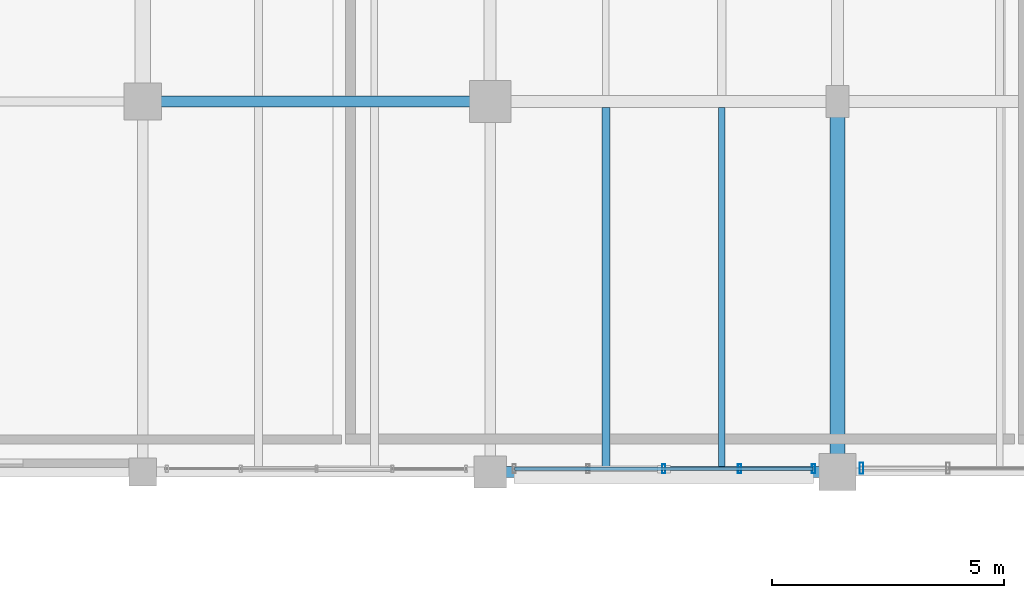
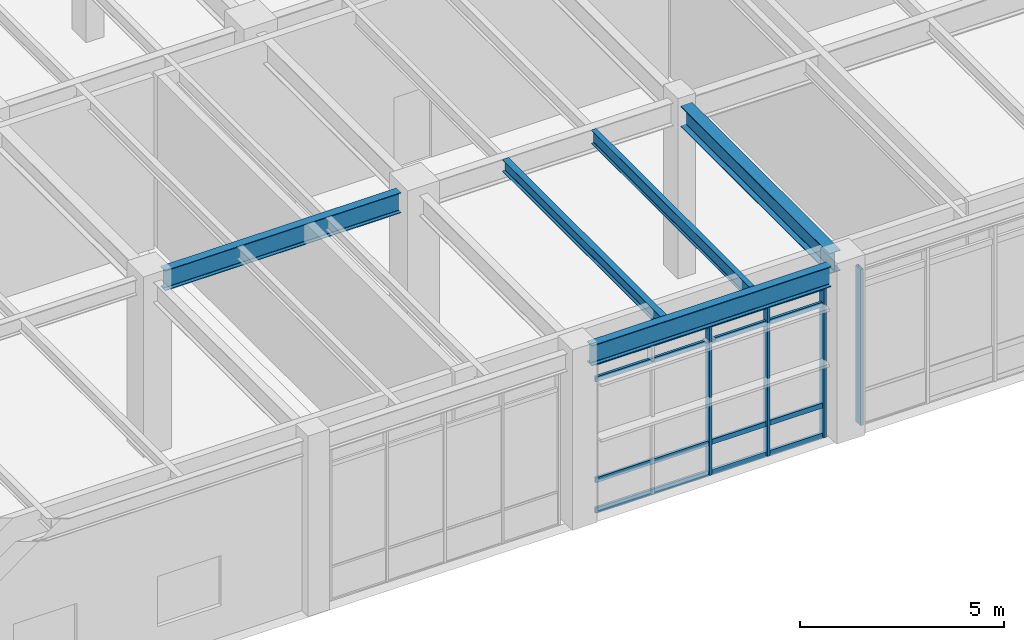
# One storey, part 64 of 203: 8 members, 5 beams, 2 elements without a shape of their own.
"""IFC4 building model written with IfcOpenShell, lengths in metres."""

import ifcopenshell
import ifcopenshell.guid

model = None  # the IFC model being written
_history = None  # IfcOwnerHistory: only IFC2X3 demands one
_inside = {}  # id of a spatial element -> (the spatial element, [elements in it])
_under = {}  # id of a project, library or spatial element -> (it, [spatial elements below it])
_declared = {}  # id of a project -> (the project, [libraries it declares])
_typed = {}  # id of a type object -> (the type object, [elements of that type])
_made_of = {}  # id of a material, layer set ... -> (it, [elements and type objects made of it])


def new_model(schema):
    """Start an empty IFC model of exactly this schema.

    Asked for "IFC4X3", IfcOpenShell would pick the latest addendum, in which some entities
    have other attributes; the version numbers below select the first issue.
    IFC2X3 requires an IfcOwnerHistory on every rooted entity: one is made here for all.
    """
    global model, _history
    if schema == "IFC4X3":
        model = ifcopenshell.file(schema_version=(4, 3, 0, 0))
    else:
        model = ifcopenshell.file(schema=schema)
    _inside.clear()
    _under.clear()
    _declared.clear()
    _typed.clear()
    _made_of.clear()
    _history = None
    if model.schema == "IFC2X3":
        org = make("IfcOrganization", Name="unknown")
        user = make(
            "IfcPersonAndOrganization",
            ThePerson=make("IfcPerson", FamilyName="unknown"),
            TheOrganization=org,
        )
        app = make(
            "IfcApplication",
            ApplicationDeveloper=org,
            Version="unknown",
            ApplicationFullName="unknown",
            ApplicationIdentifier="unknown",
        )
        _history = make(
            "IfcOwnerHistory",
            OwningUser=user,
            OwningApplication=app,
            ChangeAction="ADDED",
            CreationDate=0,
        )
    return model


def make(cls, **values):
    """One entity of the class cls with the attributes given. An attribute that is None is left unset."""
    return model.create_entity(
        cls, **{name: value for name, value in values.items() if value is not None}
    )


def rooted(cls, **values):
    """An entity with a GlobalId (a new one), such as an element, a storey or a relation."""
    return make(cls, GlobalId=ifcopenshell.guid.new(), OwnerHistory=_history, **values)


def si_unit(unit_type, name, prefix=None):
    """IfcSIUnit, for example si_unit("LENGTHUNIT", "METRE", prefix="MILLI")."""
    return make("IfcSIUnit", UnitType=unit_type, Prefix=prefix, Name=name)


def assignment(units):
    """IfcUnitAssignment: the units of a project."""
    return None if units is None else make("IfcUnitAssignment", Units=units)


def point(xyz):
    """IfcCartesianPoint."""
    return None if xyz is None else make("IfcCartesianPoint", Coordinates=xyz)


def direction(xyz):
    """IfcDirection."""
    return None if xyz is None else make("IfcDirection", DirectionRatios=xyz)


def frame(location, z_axis=None, x_axis=None):
    """IfcAxis2Placement3D, a coordinate frame: its origin and axes. An axis left out is left unset."""
    return make(
        "IfcAxis2Placement3D",
        Location=point(location),
        Axis=direction(z_axis),
        RefDirection=direction(x_axis),
    )


def frame_2d(location, x_axis=None):
    """IfcAxis2Placement2D, a coordinate frame in the plane: its origin and x axis."""
    return make(
        "IfcAxis2Placement2D", Location=point(location), RefDirection=direction(x_axis)
    )


def origin():
    """The frame at (0, 0, 0) with its axes left unset."""
    return frame((0.0, 0.0, 0.0))


def origin_2d():
    """The frame at (0, 0) in the plane with its x axis left unset."""
    return frame_2d((0.0, 0.0))


def place(relative_to, where):
    """IfcLocalPlacement: puts the frame where relative to a parent placement (None: the world)."""
    return make(
        "IfcLocalPlacement", PlacementRelTo=relative_to, RelativePlacement=where
    )


def context(
    kind, dimensions, precision=None, world=None, true_north=None, identifier=None
):
    """IfcGeometricRepresentationContext, for example the 3D "Model" context."""
    return make(
        "IfcGeometricRepresentationContext",
        ContextIdentifier=identifier,
        ContextType=kind,
        CoordinateSpaceDimension=dimensions,
        Precision=precision,
        WorldCoordinateSystem=world,
        TrueNorth=true_north,
    )


def subcontext(parent, identifier, kind, view, scale=None):
    """IfcGeometricRepresentationSubContext, for example "Body" below "Model"."""
    return make(
        "IfcGeometricRepresentationSubContext",
        ContextIdentifier=identifier,
        ContextType=kind,
        ParentContext=parent,
        TargetScale=scale,
        TargetView=view,
    )


def project(units=None, contexts=None):
    """IfcProject with its units and contexts."""
    return rooted(
        "IfcProject",
        Name="project",
        RepresentationContexts=contexts,
        UnitsInContext=assignment(units),
    )


def spatial(cls, under=None, at=None, **own):
    """A site, building, storey or space (cls), placed at a placement, below another one or the project."""
    s = rooted(cls, ObjectPlacement=at, **own)
    if under is not None:
        _under.setdefault(under.id(), (under, []))[1].append(s)
    return s


def profile(cls, at=None, kind="AREA", **sizes):
    """A parametric profile (cls). Its sizes go by their IFC names, for example OverallWidth=200.0."""
    return make(cls, ProfileType=kind, Position=at, **sizes)


def hollow_rectangle(**sizes):
    """IfcRectangleHollowProfileDef."""
    return profile("IfcRectangleHollowProfileDef", **sizes)


def i_section(**sizes):
    """IfcIShapeProfileDef."""
    return profile("IfcIShapeProfileDef", **sizes)


def extrude(swept, where, along, depth):
    """IfcExtrudedAreaSolid: the profile swept, set in the frame where, extruded along a direction by depth."""
    return make(
        "IfcExtrudedAreaSolid",
        SweptArea=swept,
        Position=where,
        ExtrudedDirection=direction(along),
        Depth=depth,
    )


def shape(context_of_items, identifier, shape_type, items):
    """IfcShapeRepresentation: the items that make up one representation, for example the "Body"."""
    return make(
        "IfcShapeRepresentation",
        ContextOfItems=context_of_items,
        RepresentationIdentifier=identifier,
        RepresentationType=shape_type,
        Items=items,
    )


def material(Name=None, Category=None):
    """IfcMaterial."""
    return make("IfcMaterial", Name=Name, Category=Category)


def material_profile(
    of_material, cross_section, Name=None, Category=None, Priority=None
):
    """IfcMaterialProfile: a cross section and its material."""
    return make(
        "IfcMaterialProfile",
        Name=Name,
        Material=of_material,
        Profile=cross_section,
        Priority=Priority,
        Category=Category,
    )


def profile_set(profiles, Name=None, composite=None):
    """IfcMaterialProfileSet."""
    return make(
        "IfcMaterialProfileSet",
        Name=Name,
        MaterialProfiles=profiles,
        CompositeProfile=composite,
    )


def made_of(thing, what):
    """Note that an element or type object is made of a material, layer set ...; save() writes the relation."""
    if what is not None:
        _made_of.setdefault(what.id(), (what, []))[1].append(thing)
    return thing


def type_object(cls, material=None, **own):
    """A type object (cls), such as IfcWallType, which elements share."""
    return made_of(rooted(cls, **own), material)


def element(
    cls,
    number,
    at=None,
    inside=None,
    cuts=None,
    type_object=None,
    material=None,
    context=None,
    identifier="Body",
    shape_type=None,
    held_by="IfcProductDefinitionShape",
    body=None,
    shapes=None,
    **own,
):
    """One element of the class cls, such as IfcWall. Its Tag is "e" and its number.

    at: its placement. inside: the storey or other place that contains it. cuts: it is an
    opening in that element (IfcRelVoidsElement). A single representation is given by context,
    identifier, shape_type and body (its items); several are given by shapes. held_by: the class
    of the entity that holds the representations. save() writes the other relations.
    """
    e = rooted(cls, Tag="e%d" % number, ObjectPlacement=at, **own)
    if body is not None:
        shapes = [shape(context, identifier, shape_type, body)]
    if shapes is not None:
        e.Representation = make(held_by, Representations=shapes)
    if inside is not None:
        _inside.setdefault(inside.id(), (inside, []))[1].append(e)
    if cuts is not None:
        rooted(
            "IfcRelVoidsElement", RelatingBuildingElement=cuts, RelatedOpeningElement=e
        )
    if type_object is not None:
        _typed.setdefault(type_object.id(), (type_object, []))[1].append(e)
    return made_of(e, material)


def aggregate(whole, parts):
    """IfcRelAggregates: a whole, such as a stair, and the parts it consists of."""
    return rooted("IfcRelAggregates", RelatingObject=whole, RelatedObjects=parts)


def save(model, path):
    """Write the relations noted so far, then the file.

    IfcRelAggregates (storeys below a building ...), IfcRelContainedInSpatialStructure (elements
    in a storey), IfcRelDefinesByType, IfcRelAssociatesMaterial and IfcRelDeclares: one each for
    every whole, place, type object, material and project.
    """
    for whole, parts in _under.values():
        aggregate(whole, parts)
    for where, things in _inside.values():
        rooted(
            "IfcRelContainedInSpatialStructure",
            RelatedElements=things,
            RelatingStructure=where,
        )
    for kind, things in _typed.values():
        rooted("IfcRelDefinesByType", RelatedObjects=things, RelatingType=kind)
    for what, things in _made_of.values():
        rooted("IfcRelAssociatesMaterial", RelatedObjects=things, RelatingMaterial=what)
    for by, libraries in _declared.values():
        rooted("IfcRelDeclares", RelatingContext=by, RelatedDefinitions=libraries)
    model.write(path)


model = new_model("IFC4")

# Units and contexts
model_context = context("Model", 3, precision=1e-05, world=origin(), true_north=direction((0.0, 1.0)))
body_context = subcontext(model_context, "Body", "Model", "MODEL_VIEW")
ifc_project = project(units=[si_unit("LENGTHUNIT", "METRE"), si_unit("AREAUNIT", "SQUARE_METRE"), si_unit("VOLUMEUNIT", "CUBIC_METRE"), si_unit("PLANEANGLEUNIT", "RADIAN"), si_unit("MASSUNIT", "GRAM", prefix="KILO"), si_unit("THERMODYNAMICTEMPERATUREUNIT", "KELVIN"), si_unit("POWERUNIT", "WATT")], contexts=[model_context])

# Site, building, storey
site_placement = place(None, origin())
site = spatial("IfcSite", under=ifc_project, at=site_placement, CompositionType="ELEMENT")
building_placement = place(site_placement, origin())
building = spatial("IfcBuilding", under=site, at=building_placement, Name="Tepalcoro Natatorium and Aquatics Centre", CompositionType="ELEMENT")
storey_placement = place(building_placement, origin())
storey = spatial("IfcBuildingStorey", under=building, at=storey_placement, Name="L00", CompositionType="ELEMENT", Elevation=0.0)

# Beams
ifc_material_1 = material(Name="Steel ASTM A992 Grade 50 (Fy 345 MPa)", Category="steel")
ifc_material_profile_1 = material_profile(ifc_material_1, i_section(OverallWidth=0.324951171875, OverallDepth=0.616943359375, WebThickness=0.013916015625, FlangeThickness=0.02197265625, FilletRadius=0.013916015625, at=origin_2d()), Name="W24X117")
ifc_profile_set_1 = profile_set([ifc_material_profile_1], Name="Steel ASTM A992 Grade 50 (Fy 345 MPa)")
beam_type_1 = type_object("IfcBeamType", Name="BM_W24x117", PredefinedType="BEAM", material=ifc_profile_set_1)
beam_1_placement = place(storey_placement, frame((36.0, 86.385009765625, 4.83642578125), z_axis=(0.0, 1.0, 0.0), x_axis=(-1.0, 0.0, 0.0)))
element("IfcBeam", 1, at=beam_1_placement, inside=storey, type_object=beam_type_1, Name="V4 L00 Grid Girder Y", PredefinedType="BEAM", context=body_context, shape_type="SweptSolid", body=[
    extrude(i_section(OverallWidth=0.324951171875, OverallDepth=0.616943359375, WebThickness=0.013916015625, FlangeThickness=0.02197265625, FilletRadius=0.013916015625, at=origin_2d()), origin(), (0.0, 0.0, 1.0), 7.280029296875),
])
ifc_material_profile_2 = material_profile(ifc_material_1, i_section(OverallWidth=0.22802734375, OverallDepth=0.60693359375, WebThickness=0.010986328125, FlangeThickness=0.01708984375, FilletRadius=0.013916015625, at=origin_2d()), Name="W24X76")
ifc_profile_set_2 = profile_set([ifc_material_profile_2], Name="Steel ASTM A992 Grade 50 (Fy 345 MPa)")
beam_type_2 = type_object("IfcBeamType", Name="BM_W24x76", PredefinedType="BEAM", material=ifc_profile_set_2)
beam_2_placement = place(storey_placement, frame((21.385009765625, 94.0, 4.841552734375), z_axis=(1.0, 0.0, 0.0), x_axis=(0.0, 1.0, 0.0)))
element("IfcBeam", 2, at=beam_2_placement, inside=storey, type_object=beam_type_2, Name="V4 L00 Grid Girder X", PredefinedType="BEAM", context=body_context, shape_type="SweptSolid", body=[
    extrude(i_section(OverallWidth=0.22802734375, OverallDepth=0.60693359375, WebThickness=0.010986328125, FlangeThickness=0.01708984375, FilletRadius=0.013916015625, at=origin_2d()), origin(), (0.0, 0.0, 1.0), 6.679931640625),
])

# Curtain wall, members
ifc_material_2 = material(Name="Bronze-Anodised Extruded Aluminium Alloy EN AW-6063 T6", Category="aluminium")
curtain_wall_type_1 = type_object("IfcCurtainWallType", Name="CW_V4_VILLAGE", PredefinedType="USERDEFINED", material=ifc_material_2)
curtain_wall_1_placement = place(storey_placement, origin())
curtain_wall_1 = element("IfcCurtainWall", 3, at=curtain_wall_1_placement, inside=storey, type_object=curtain_wall_type_1, Name="V4 L00 S Unitised Curtain Wall Bay 3", ObjectType="UNITISED STOREFRONT", PredefinedType="USERDEFINED")
ifc_material_profile_3 = material_profile(ifc_material_2, hollow_rectangle(XDim=0.070068359375, YDim=0.199951171875, WallThickness=0.0048828125, at=origin_2d()), Name="AL70X200X5")
ifc_profile_set_3 = profile_set([ifc_material_profile_3], Name="Bronze-Anodised Extruded Aluminium Alloy EN AW-6063 T6")
member_type_1 = type_object("IfcMemberType", Name="CW_MUL_70x200", PredefinedType="MULLION", material=ifc_profile_set_3)
member_1_placement = place(storey_placement, frame((32.25, 86.0712890625, 0.02001953125), z_axis=(0.0, 0.0, 1.0), x_axis=(1.0, 0.0, 0.0)))
member_1 = element("IfcMember", 4, at=member_1_placement, type_object=member_type_1, Name="CW_V4_VILLAGE Curtain Wall Mullion", PredefinedType="MULLION", context=body_context, shape_type="SweptSolid", body=[
    extrude(hollow_rectangle(XDim=0.070068359375, YDim=0.199951171875, WallThickness=0.0048828125, at=origin_2d()), origin(), (0.0, 0.0, 1.0), 4.47802734375),
])
member_2_placement = place(storey_placement, frame((33.885009765625, 86.0712890625, 0.02001953125), z_axis=(0.0, 0.0, 1.0), x_axis=(1.0, 0.0, 0.0)))
member_2 = element("IfcMember", 5, at=member_2_placement, type_object=member_type_1, Name="CW_V4_VILLAGE Curtain Wall Mullion", PredefinedType="MULLION", context=body_context, shape_type="SweptSolid", body=[
    extrude(hollow_rectangle(XDim=0.070068359375, YDim=0.199951171875, WallThickness=0.0048828125, at=origin_2d()), origin(), (0.0, 0.0, 1.0), 4.47802734375),
])
member_3_placement = place(storey_placement, frame((35.47998046875, 86.0712890625, 0.02001953125), z_axis=(0.0, 0.0, 1.0), x_axis=(1.0, 0.0, 0.0)))
member_3 = element("IfcMember", 6, at=member_3_placement, type_object=member_type_1, Name="CW_V4_VILLAGE Curtain Wall Mullion", PredefinedType="MULLION", context=body_context, shape_type="SweptSolid", body=[
    extrude(hollow_rectangle(XDim=0.070068359375, YDim=0.199951171875, WallThickness=0.0048828125, at=origin_2d()), origin(), (0.0, 0.0, 1.0), 4.47802734375),
])

# Curtain wall, member
curtain_wall_type_2 = type_object("IfcCurtainWallType", Name="CW_V5_LOWER", PredefinedType="USERDEFINED", material=ifc_material_2)
curtain_wall_2_placement = place(storey_placement, origin())
curtain_wall_2 = element("IfcCurtainWall", 7, at=curtain_wall_2_placement, inside=storey, type_object=curtain_wall_type_2, Name="V4 L00 S Unitised Curtain Wall Bay 4", ObjectType="UNITISED STOREFRONT", PredefinedType="USERDEFINED")
ifc_material_profile_4 = material_profile(ifc_material_2, hollow_rectangle(XDim=0.080078125, YDim=0.239990234375, WallThickness=0.0048828125, at=origin_2d()), Name="AL80X240X5")
ifc_profile_set_4 = profile_set([ifc_material_profile_4], Name="Bronze-Anodised Extruded Aluminium Alloy EN AW-6063 T6")
member_type_2 = type_object("IfcMemberType", Name="CW_MUL_80x240", PredefinedType="MULLION", material=ifc_profile_set_4)
member_4_placement = place(storey_placement, frame((36.52001953125, 86.080078125, 0.02001953125), z_axis=(0.0, 0.0, 1.0), x_axis=(1.0, 0.0, 0.0)))
member_4 = element("IfcMember", 8, at=member_4_placement, type_object=member_type_2, Name="CW_V5_LOWER Curtain Wall Mullion", PredefinedType="MULLION", context=body_context, shape_type="SweptSolid", body=[
    extrude(hollow_rectangle(XDim=0.080078125, YDim=0.239990234375, WallThickness=0.0048828125, at=origin_2d()), origin(), (0.0, 0.0, 1.0), 4.677001953125),
])
aggregate(curtain_wall_2, [member_4])

# Member
ifc_material_profile_5 = material_profile(ifc_material_2, hollow_rectangle(XDim=0.070068359375, YDim=0.14990234375, WallThickness=0.00390625, at=origin_2d()), Name="AL70X150X4")
ifc_profile_set_5 = profile_set([ifc_material_profile_5], Name="Bronze-Anodised Extruded Aluminium Alloy EN AW-6063 T6")
member_type_3 = type_object("IfcMemberType", Name="CW_TRN_70x150", PredefinedType="USERDEFINED", material=ifc_profile_set_5)
member_5_placement = place(storey_placement, frame((29.030029296875, 86.0712890625, 0.050048828125), z_axis=(1.0, 0.0, 0.0), x_axis=(0.0, 1.0, 0.0)))
member_5 = element("IfcMember", 9, at=member_5_placement, type_object=member_type_3, Name="CW_V4_VILLAGE Curtain Wall Transom", ObjectType="TRANSOM", PredefinedType="USERDEFINED", context=body_context, shape_type="SweptSolid", body=[
    extrude(hollow_rectangle(XDim=0.070068359375, YDim=0.14990234375, WallThickness=0.00390625, at=origin_2d()), origin(), (0.0, 0.0, 1.0), 6.43994140625),
])

member_6_placement = place(storey_placement, frame((29.030029296875, 86.0712890625, 0.949951171875), z_axis=(1.0, 0.0, 0.0), x_axis=(0.0, 1.0, 0.0)))
member_6 = element("IfcMember", 10, at=member_6_placement, type_object=member_type_3, Name="CW_V4_VILLAGE Curtain Wall Transom", ObjectType="TRANSOM", PredefinedType="USERDEFINED", context=body_context, shape_type="SweptSolid", body=[
    extrude(hollow_rectangle(XDim=0.070068359375, YDim=0.14990234375, WallThickness=0.00390625, at=origin_2d()), origin(), (0.0, 0.0, 1.0), 6.43994140625),
])

member_7_placement = place(storey_placement, frame((29.030029296875, 86.0712890625, 3.968017578125), z_axis=(1.0, 0.0, 0.0), x_axis=(0.0, 1.0, 0.0)))
member_7 = element("IfcMember", 11, at=member_7_placement, type_object=member_type_3, Name="CW_V4_VILLAGE Curtain Wall Transom", ObjectType="TRANSOM", PredefinedType="USERDEFINED", context=body_context, shape_type="SweptSolid", body=[
    extrude(hollow_rectangle(XDim=0.070068359375, YDim=0.14990234375, WallThickness=0.00390625, at=origin_2d()), origin(), (0.0, 0.0, 1.0), 6.43994140625),
])

member_8_placement = place(storey_placement, frame((29.030029296875, 86.0712890625, 4.468017578125), z_axis=(1.0, 0.0, 0.0), x_axis=(0.0, 1.0, 0.0)))
member_8 = element("IfcMember", 12, at=member_8_placement, type_object=member_type_3, Name="CW_V4_VILLAGE Curtain Wall Transom", ObjectType="TRANSOM", PredefinedType="USERDEFINED", context=body_context, shape_type="SweptSolid", body=[
    extrude(hollow_rectangle(XDim=0.070068359375, YDim=0.14990234375, WallThickness=0.00390625, at=origin_2d()), origin(), (0.0, 0.0, 1.0), 6.43994140625),
])

aggregate(curtain_wall_1, [member_1, member_2, member_3, member_5, member_6, member_7, member_8])

# Beams
ifc_material_profile_6 = material_profile(ifc_material_1, i_section(OverallWidth=0.172119140625, OverallDepth=0.35791015625, WebThickness=0.008056640625, FlangeThickness=0.012939453125, FilletRadius=0.013916015625, at=origin_2d()), Name="W14X38")
ifc_profile_set_6 = profile_set([ifc_material_profile_6], Name="Steel ASTM A992 Grade 50 (Fy 345 MPa)")
beam_type_3 = type_object("IfcBeamType", Name="JS_W14x38", PredefinedType="JOIST", material=ifc_profile_set_6)
beam_3_placement = place(storey_placement, frame((31.0, 86.114501953125, 4.966064453125), z_axis=(0.0, 1.0, 0.0), x_axis=(-1.0, 0.0, 0.0)))
element("IfcBeam", 13, at=beam_3_placement, inside=storey, type_object=beam_type_3, Name="V4 L00 Floor Joist", PredefinedType="JOIST", context=body_context, shape_type="SweptSolid", body=[
    extrude(i_section(OverallWidth=0.172119140625, OverallDepth=0.35791015625, WebThickness=0.008056640625, FlangeThickness=0.012939453125, FilletRadius=0.013916015625, at=origin_2d()), origin(), (0.0, 0.0, 1.0), 7.758544921875),
])
ifc_material_profile_7 = material_profile(ifc_material_1, i_section(OverallWidth=0.139892578125, OverallDepth=0.404052734375, WebThickness=0.007080078125, FlangeThickness=0.010986328125, FilletRadius=0.013916015625, at=origin_2d()), Name="W16X31")
ifc_profile_set_7 = profile_set([ifc_material_profile_7], Name="Steel ASTM A992 Grade 50 (Fy 345 MPa)")
beam_type_4 = type_object("IfcBeamType", Name="JS_W16x31", PredefinedType="JOIST", material=ifc_profile_set_7)
beam_4_placement = place(storey_placement, frame((33.5, 86.114501953125, 4.943115234375), z_axis=(0.0, 1.0, 0.0), x_axis=(-1.0, 0.0, 0.0)))
element("IfcBeam", 14, at=beam_4_placement, inside=storey, type_object=beam_type_4, Name="V4 L00 Floor Joist", PredefinedType="JOIST", context=body_context, shape_type="SweptSolid", body=[
    extrude(i_section(OverallWidth=0.139892578125, OverallDepth=0.404052734375, WebThickness=0.007080078125, FlangeThickness=0.010986328125, FilletRadius=0.013916015625, at=origin_2d()), origin(), (0.0, 0.0, 1.0), 7.758544921875),
])
ifc_material_profile_8 = material_profile(ifc_material_1, i_section(OverallWidth=0.22900390625, OverallDepth=0.612060546875, WebThickness=0.011962890625, FlangeThickness=0.02001953125, FilletRadius=0.013916015625, at=origin_2d()), Name="W24X84")
ifc_profile_set_8 = profile_set([ifc_material_profile_8], Name="Steel ASTM A992 Grade 50 (Fy 345 MPa)")
beam_type_5 = type_object("IfcBeamType", Name="SP_W24x84", PredefinedType="SPANDREL", material=ifc_profile_set_8)
beam_5_placement = place(storey_placement, frame((28.8349609375, 86.0, 4.839111328125), z_axis=(1.0, 0.0, 0.0), x_axis=(0.0, 1.0, 0.0)))
element("IfcBeam", 15, at=beam_5_placement, inside=storey, type_object=beam_type_5, Name="V4 L00 Grid Girder X", PredefinedType="SPANDREL", context=body_context, shape_type="SweptSolid", body=[
    extrude(i_section(OverallWidth=0.22900390625, OverallDepth=0.612060546875, WebThickness=0.011962890625, FlangeThickness=0.02001953125, FilletRadius=0.013916015625, at=origin_2d()), origin(), (0.0, 0.0, 1.0), 6.780029296875),
])

save(model, "model.ifc")
